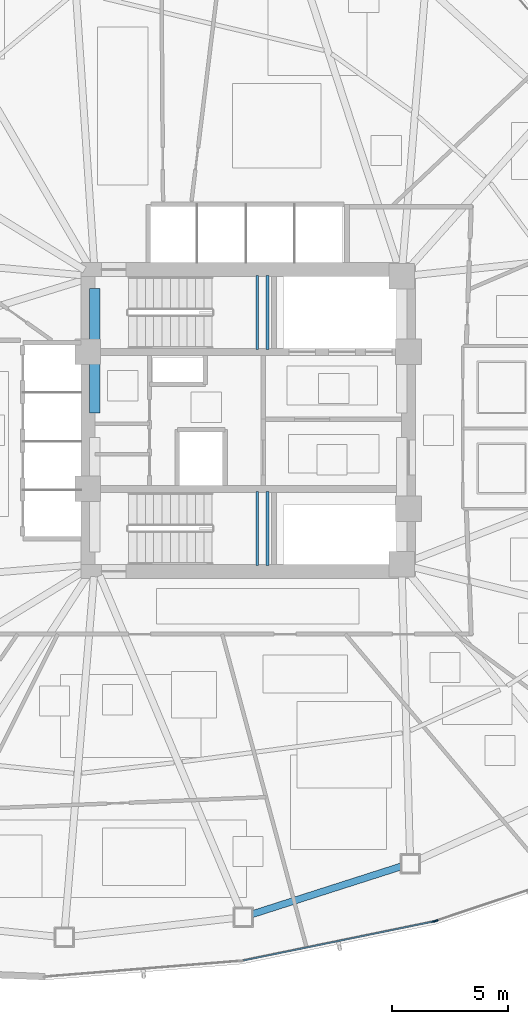
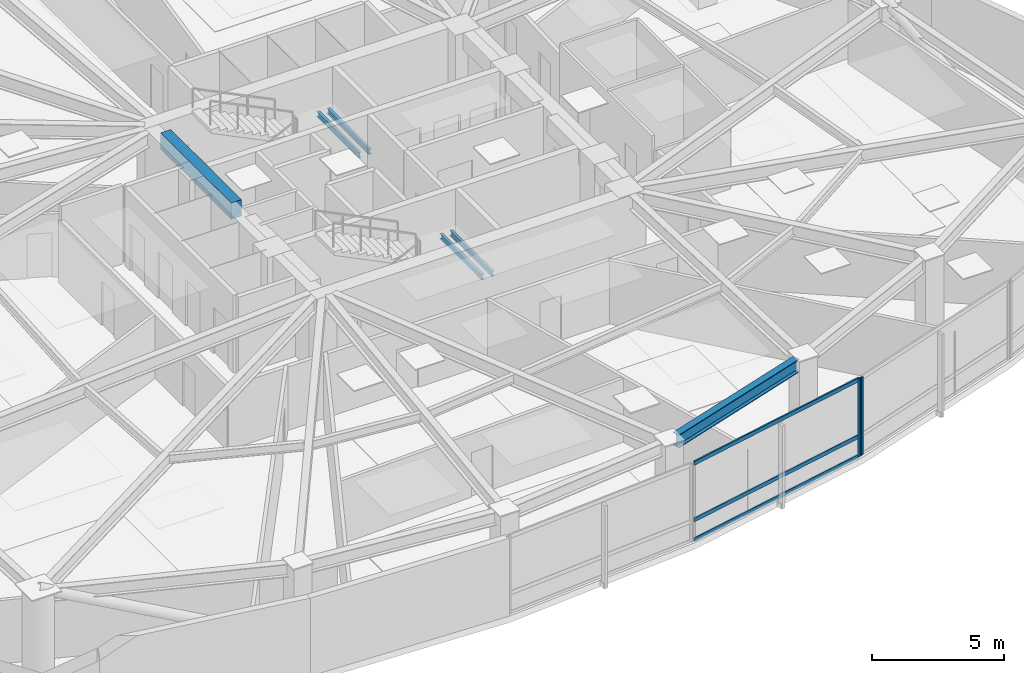
# One storey, part 5 of 18: 6 beams, 5 members, 2 elements without a shape of their own.
"""IFC4 building model written with IfcOpenShell, lengths in metres."""

from ifc_helpers import new_model, si_unit, direction, frame, origin, origin_2d, place, context, subcontext, project, spatial, rectangle, hollow_rectangle, i_section, extrude, source, transform, mapped, material, layer, layer_set, material_profile, profile_set, type_object, type_shapes, element, aggregate, save


model = new_model("IFC4")

# Units and contexts
model_context = context("Model", 3, precision=1e-05, world=origin(), true_north=direction((0.0, 1.0)))
body_context = subcontext(model_context, "Body", "Model", "MODEL_VIEW")
ifc_project = project(units=[si_unit("LENGTHUNIT", "METRE"), si_unit("AREAUNIT", "SQUARE_METRE"), si_unit("VOLUMEUNIT", "CUBIC_METRE"), si_unit("PLANEANGLEUNIT", "RADIAN"), si_unit("MASSUNIT", "GRAM", prefix="KILO")], contexts=[model_context])

# Site, building, storey
site_placement = place(None, origin())
site = spatial("IfcSite", under=ifc_project, at=site_placement, CompositionType="ELEMENT")
building_placement = place(site_placement, origin())
building = spatial("IfcBuilding", under=site, at=building_placement, Name="Tavelor Broadcast Tower", CompositionType="ELEMENT")
storey_placement = place(building_placement, frame((0.0, 0.0, 58.800048828125)))
storey = spatial("IfcBuildingStorey", under=building, at=storey_placement, Name="L13", CompositionType="ELEMENT", Elevation=58.800048828125)

# Beams
ifc_material_1 = material(Name="Concrete C40/50", Category="concrete")
ifc_material_profile_1 = material_profile(ifc_material_1, rectangle(XDim=0.449951171875, YDim=0.75, at=origin_2d()), Name="RC 450x750")
ifc_profile_set_1 = profile_set([ifc_material_profile_1], Name="Concrete C40/50")
beam_type_1 = type_object("IfcBeamType", Name="Basement Core Trim Beam 450x750", PredefinedType="BEAM", material=ifc_profile_set_1)
beam_1_placement = place(storey_placement, frame((43.39990234375, 45.327880859375, 3.224853515625), z_axis=(0.0, 1.0, 0.0), x_axis=(-1.0, 0.0, 0.0)))
element("IfcBeam", 1, at=beam_1_placement, inside=storey, type_object=beam_type_1, Name="L13 Core West-N Tie Girder", PredefinedType="BEAM", context=body_context, shape_type="SweptSolid", body=[
    extrude(rectangle(XDim=0.449951171875, YDim=0.75, at=origin_2d()), origin(), (0.0, 0.0, 1.0), 5.34423828125),
])
ifc_material_2 = material(Name="Steel S355", Category="steel")
ifc_material_profile_2 = material_profile(ifc_material_2, i_section(OverallWidth=0.300048828125, OverallDepth=0.60009765625, WebThickness=0.015380859375, FlangeThickness=0.030029296875, at=origin_2d()), Name="HEB 600")
ifc_profile_set_2 = profile_set([ifc_material_profile_2], Name="Steel S355")
beam_type_2 = type_object("IfcBeamType", Name="Perimeter Spandrel Beam T1 HEB 600", PredefinedType="SPANDREL", material=ifc_profile_set_2)
beam_2_placement = place(storey_placement, frame((50.15234375, 23.735107421875, 3.300048828125), z_axis=(0.952305764648, 0.305145425362, 0.0), x_axis=(-0.305145425362, 0.952305764648, 0.0)))
element("IfcBeam", 2, at=beam_2_placement, inside=storey, type_object=beam_type_2, Name="L13 Framed-Tube Ring Spandrel 10", PredefinedType="SPANDREL", context=body_context, shape_type="SweptSolid", body=[
    extrude(i_section(OverallWidth=0.300048828125, OverallDepth=0.60009765625, WebThickness=0.015380859375, FlangeThickness=0.030029296875, at=origin_2d()), origin(), (0.0, 0.0, 1.0), 6.78076171875),
])
ifc_material_profile_3 = material_profile(ifc_material_2, i_section(OverallWidth=0.1201171875, OverallDepth=0.239990234375, WebThickness=0.006103515625, FlangeThickness=0.009765625, at=origin_2d()), Name="IPE 240")
ifc_profile_set_3 = profile_set([ifc_material_profile_3], Name="Steel S355")
beam_type_3 = type_object("IfcBeamType", Name="Stairwell Landing Support Trimmer Beam IPE240", PredefinedType="BEAM", material=ifc_profile_set_3)
for number, where, z_axis, x_axis, name in (
    (3, (50.385009765625, 48.06005859375, 1.635009765625), (0.0, 1.0, 0.0), (-1.0, 0.0, 0.0), "L13 Stair Landing Support Beam 51"),
    (4, (50.824951171875, 48.06005859375, 1.635009765625), (0.0, 1.0, 0.0), (-1.0, 0.0, 0.0), "L13 Stair Landing Support Beam 52"),
    (5, (50.385009765625, 38.760009765625, 1.635009765625), (0.0, 1.0, 0.0), (-1.0, 0.0, 0.0), "L13 Stair Landing Support Beam 265"),
    (6, (50.824951171875, 38.760009765625, 1.635009765625), (0.0, 1.0, 0.0), (-1.0, 0.0, 0.0), "L13 Stair Landing Support Beam 266"),
):
    element("IfcBeam", number, at=place(storey_placement, frame(where, z_axis=z_axis, x_axis=x_axis)), inside=storey, type_object=beam_type_3, Name=name, PredefinedType="BEAM", context=body_context, shape_type="SweptSolid", body=[
        extrude(i_section(OverallWidth=0.1201171875, OverallDepth=0.239990234375, WebThickness=0.006103515625, FlangeThickness=0.009765625, at=origin_2d()), origin(), (0.0, 0.0, 1.0), 3.179931640625),
    ])

# Curtain wall, member
ifc_material_3 = material(Name="Architectural Anodized Aluminium", Category="aluminium")
ifc_layer = layer(ifc_material_3, 0.179931640625)
ifc_layer_set = layer_set([ifc_layer], Name="Architectural Anodized Aluminium")
curtain_wall_type = type_object("IfcCurtainWallType", Name="Tower Low-Zone Unitised Curtain Wall CW02", PredefinedType="NOTDEFINED", material=ifc_layer_set)
curtain_wall_1_placement = place(storey_placement, origin())
curtain_wall_1 = element("IfcCurtainWall", 7, at=curtain_wall_1_placement, inside=storey, type_object=curtain_wall_type, Name="L13 Curtain Wall CW02 Run 114", PredefinedType="NOTDEFINED")
ifc_material_profile_4 = material_profile(ifc_material_3, hollow_rectangle(XDim=0.06494140625, YDim=0.179931640625, WallThickness=0.02197265625, at=origin_2d()), Name="RHS 65x180x22")
ifc_profile_set_4 = profile_set([ifc_material_profile_4], Name="Architectural Anodized Aluminium")
member_type_1 = type_object("IfcMemberType", Name="CW02 Extruded Aluminium Mullion 65x180", PredefinedType="MULLION", material=ifc_profile_set_4)
shared_shape_1 = source(origin(), body_context, "Body", "SweptSolid", [
    extrude(hollow_rectangle(XDim=0.06494140625, YDim=0.179931640625, WallThickness=0.02197265625, at=origin_2d()), origin(), (0.0, 0.0, 1.0), 3.599853515625),
])
type_shapes(member_type_1, [shared_shape_1])
member_1_placement = place(storey_placement, frame((57.991455078125, 23.429443359375, 0.0), z_axis=(0.0, 0.0, 1.0), x_axis=(-0.200648385632, 0.979663322445, 0.0)))
member_1 = element("IfcMember", 8, at=member_1_placement, type_object=member_type_1, Name="CW02 mullion 2", PredefinedType="MULLION", context=body_context, shape_type="MappedRepresentation", body=[
    mapped(shared_shape_1, transform((0.0, 0.0, 0.0), scale=1.0)),
])

curtain_wall_2_placement = place(storey_placement, origin())
curtain_wall_2 = element("IfcCurtainWall", 9, at=curtain_wall_2_placement, inside=storey, type_object=curtain_wall_type, Name="L13 Curtain Wall CW02 Run 115", PredefinedType="NOTDEFINED")
member_2_placement = place(storey_placement, frame((58.0830078125, 23.4541015625, 0.0), z_axis=(0.0, 0.0, 1.0), x_axis=(-0.317732790798, 0.948180295963, 0.0)))
member_2 = element("IfcMember", 10, at=member_2_placement, type_object=member_type_1, Name="CW02 mullion 1", PredefinedType="MULLION", context=body_context, shape_type="MappedRepresentation", body=[
    mapped(shared_shape_1, transform((0.0, 0.0, 0.0), scale=1.0)),
])
aggregate(curtain_wall_2, [member_2])

# Member
ifc_material_profile_5 = material_profile(ifc_material_3, hollow_rectangle(XDim=0.06494140625, YDim=0.179931640625, WallThickness=0.02197265625, at=origin_2d()), Name="RHS 65x180x22")
ifc_profile_set_5 = profile_set([ifc_material_profile_5], Name="Architectural Anodized Aluminium")
member_type_2 = type_object("IfcMemberType", Name="CW02 Extruded Aluminium Transom 65x180", PredefinedType="USERDEFINED", material=ifc_profile_set_5)
shared_shape_2 = source(origin(), body_context, "Body", "SweptSolid", [
    extrude(hollow_rectangle(XDim=0.06494140625, YDim=0.179931640625, WallThickness=0.02197265625, at=origin_2d()), origin(), (0.0, 0.0, 1.0), 8.33935546875),
])
type_shapes(member_type_2, [shared_shape_2])
member_3_placement = place(storey_placement, frame((49.789794921875, 21.749755859375, 0.032470703125), z_axis=(0.979668402166, 0.200623582358, 0.0), x_axis=(-0.200623582358, 0.979668402166, 0.0)))
member_3 = element("IfcMember", 11, at=member_3_placement, type_object=member_type_2, Name="CW02 transom 1.1", ObjectType="TRANSOM", PredefinedType="USERDEFINED", context=body_context, shape_type="MappedRepresentation", body=[
    mapped(shared_shape_2, transform((0.0, 0.0, 0.0), scale=1.0)),
])

member_4_placement = place(storey_placement, frame((49.789794921875, 21.749755859375, 0.949951171875), z_axis=(0.979668402166, 0.200623582358, 0.0), x_axis=(-0.200623582358, 0.979668402166, 0.0)))
member_4 = element("IfcMember", 12, at=member_4_placement, type_object=member_type_2, Name="CW02 transom 1.2", ObjectType="TRANSOM", PredefinedType="USERDEFINED", context=body_context, shape_type="MappedRepresentation", body=[
    mapped(shared_shape_2, transform((0.0, 0.0, 0.0), scale=1.0)),
])

member_5_placement = place(storey_placement, frame((49.789794921875, 21.749755859375, 3.5673828125), z_axis=(0.979668402166, 0.200623582358, 0.0), x_axis=(-0.200623582358, 0.979668402166, 0.0)))
member_5 = element("IfcMember", 13, at=member_5_placement, type_object=member_type_2, Name="CW02 transom 1.3", ObjectType="TRANSOM", PredefinedType="USERDEFINED", context=body_context, shape_type="MappedRepresentation", body=[
    mapped(shared_shape_2, transform((0.0, 0.0, 0.0), scale=1.0)),
])

aggregate(curtain_wall_1, [member_1, member_3, member_4, member_5])

save(model, "model.ifc")
